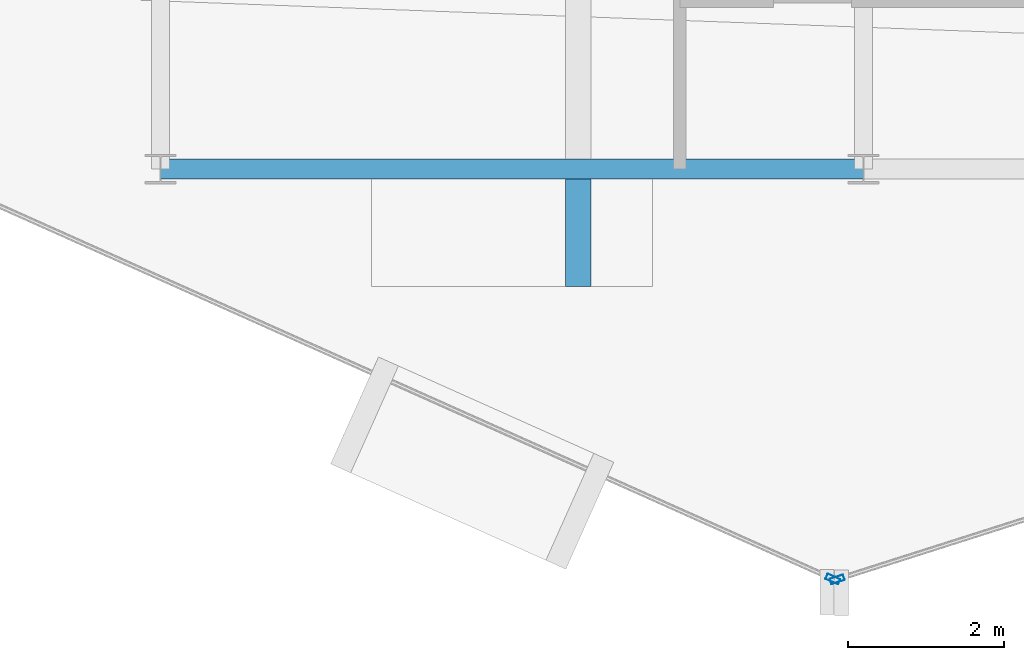
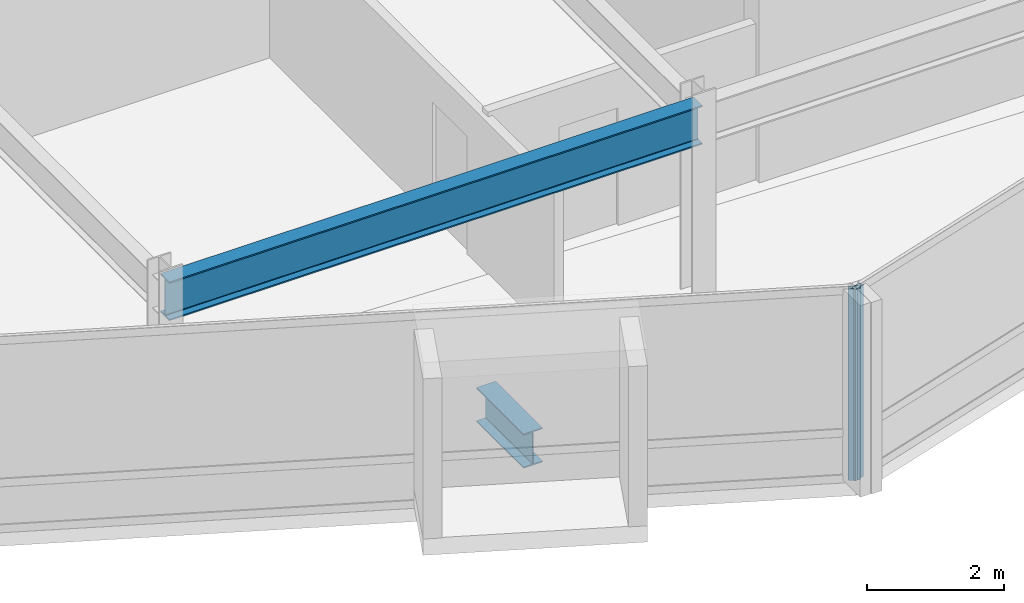
# One storey, part 4 of 19: 2 beams, 2 members, 2 elements without a shape of their own.
"""IFC4 building model written with IfcOpenShell, lengths in metres."""

from ifc_helpers import new_model, si_unit, direction, frame, origin, origin_2d, place, context, subcontext, project, spatial, hollow_rectangle, i_section, extrude, material, layer, layer_set, material_profile, profile_set, type_object, element, aggregate, save


model = new_model("IFC4")

# Units and contexts
model_context = context("Model", 3, precision=1e-05, world=origin(), true_north=direction((0.0, 1.0)))
body_context = subcontext(model_context, "Body", "Model", "MODEL_VIEW")
ifc_project = project(units=[si_unit("LENGTHUNIT", "METRE"), si_unit("AREAUNIT", "SQUARE_METRE"), si_unit("VOLUMEUNIT", "CUBIC_METRE"), si_unit("PLANEANGLEUNIT", "RADIAN"), si_unit("MASSUNIT", "GRAM", prefix="KILO")], contexts=[model_context])

# Site, building, storey
site_placement = place(None, origin())
site = spatial("IfcSite", under=ifc_project, at=site_placement, CompositionType="ELEMENT")
building_placement = place(site_placement, origin())
building = spatial("IfcBuilding", under=site, at=building_placement, Name="Solvaryn Broadcast Tower", CompositionType="ELEMENT")
storey_placement = place(building_placement, frame((0.0, 0.0, 277.800048828125)))
storey = spatial("IfcBuildingStorey", under=building, at=storey_placement, Name="L70", CompositionType="ELEMENT", Elevation=277.800048828125)

# Beams
ifc_material_1 = material(Name="Steel ASTM A992 Grade 50", Category="steel")
ifc_material_profile_1 = material_profile(ifc_material_1, i_section(OverallWidth=0.323974609375, OverallDepth=0.611083984375, WebThickness=0.0126953125, FlangeThickness=0.01904296875, FilletRadius=0.014892578125, at=origin_2d()))
ifc_profile_set_1 = profile_set([ifc_material_profile_1], Name="Steel ASTM A992 Grade 50")
beam_type_1 = type_object("IfcBeamType", Name="BM-CANT-TER", PredefinedType="BEAM", material=ifc_profile_set_1)
beam_1_placement = place(storey_placement, frame((23.35009765625, 8.875, -0.58544921875), z_axis=(0.0, -1.0, 0.0), x_axis=(1.0, 0.0, 0.0)))
element("IfcBeam", 1, at=beam_1_placement, inside=storey, type_object=beam_type_1, Name="L70 Bay-Box Cantilever Bracket 1", PredefinedType="BEAM", context=body_context, shape_type="SweptSolid", body=[
    extrude(i_section(OverallWidth=0.323974609375, OverallDepth=0.611083984375, WebThickness=0.0126953125, FlangeThickness=0.01904296875, FilletRadius=0.014892578125, at=origin_2d()), origin(), (0.0, 0.0, 1.0), 1.375),
])
ifc_material_2 = material(Name="Steel ASTM A992 Grade 50", Category="steel")
ifc_material_profile_2 = material_profile(ifc_material_2, i_section(OverallWidth=0.256103515625, OverallDepth=0.693115234375, WebThickness=0.014404296875, FlangeThickness=0.023681640625, FilletRadius=0.01611328125, at=origin_2d()))
ifc_profile_set_2 = profile_set([ifc_material_profile_2], Name="Steel ASTM A992 Grade 50")
beam_type_2 = type_object("IfcBeamType", Name="BM-SP3-W27X114", PredefinedType="USERDEFINED", material=ifc_profile_set_2)
beam_2_placement = place(storey_placement, frame((18.0, 9.0, 3.073486328125), z_axis=(1.0, 0.0, 0.0), x_axis=(0.0, 1.0, 0.0)))
element("IfcBeam", 2, at=beam_2_placement, inside=storey, type_object=beam_type_2, Name="L70 Spandrel Beam X (18-27 @ Y=9)", ObjectType="SPANDREL", PredefinedType="USERDEFINED", context=body_context, shape_type="SweptSolid", body=[
    extrude(i_section(OverallWidth=0.256103515625, OverallDepth=0.693115234375, WebThickness=0.014404296875, FlangeThickness=0.023681640625, FilletRadius=0.01611328125, at=origin_2d()), origin(), (0.0, 0.0, 1.0), 9.0),
])

# Curtain wall, member
ifc_material_3 = material(Name="Aluminium and Terracotta Unitised Curtain Wall", Category="masonry")
ifc_layer = layer(ifc_material_3, 0.199951171875)
ifc_layer_set = layer_set([ifc_layer], Name="CW-SYS2-LOWMID")
curtain_wall_type = type_object("IfcCurtainWallType", Name="CW-SYS2-LOWMID", PredefinedType="NOTDEFINED", material=ifc_layer_set)
curtain_wall_1_placement = place(storey_placement, origin())
curtain_wall_1 = element("IfcCurtainWall", 3, at=curtain_wall_1_placement, inside=storey, type_object=curtain_wall_type, Name="L70 Curtain Wall DR3", PredefinedType="NOTDEFINED")
ifc_material_4 = material(Name="Anodised Aluminium 6063-T6", Category="aluminium")
ifc_material_profile_3 = material_profile(ifc_material_4, hollow_rectangle(XDim=0.074951171875, YDim=0.179931640625, WallThickness=0.00390625, InnerFilletRadius=0.00390625, OuterFilletRadius=0.008056640625, at=origin_2d()))
ifc_profile_set_3 = profile_set([ifc_material_profile_3], Name="Anodised Aluminium 6063-T6")
member_type = type_object("IfcMemberType", Name="CW-MUL-180", PredefinedType="MULLION", material=ifc_profile_set_3)
member_1_placement = place(storey_placement, frame((26.608642578125, 3.750244140625, 0.0), z_axis=(0.0, 0.0, 1.0), x_axis=(0.408466010682, 0.912773530574, 0.0)))
member_1 = element("IfcMember", 4, at=member_1_placement, type_object=member_type, Name="CWS2 mullion 2", PredefinedType="MULLION", context=body_context, shape_type="SweptSolid", body=[
    extrude(hollow_rectangle(XDim=0.074951171875, YDim=0.179931640625, WallThickness=0.00390625, InnerFilletRadius=0.00390625, OuterFilletRadius=0.008056640625, at=origin_2d()), origin(), (0.0, 0.0, 1.0), 3.419921875),
])
aggregate(curtain_wall_1, [member_1])

curtain_wall_2_placement = place(storey_placement, origin())
curtain_wall_2 = element("IfcCurtainWall", 5, at=curtain_wall_2_placement, inside=storey, type_object=curtain_wall_type, Name="L70 Curtain Wall DR4", PredefinedType="NOTDEFINED")
member_2_placement = place(storey_placement, frame((26.66455078125, 3.7470703125, 0.0), z_axis=(0.0, 0.0, 1.0), x_axis=(-0.30361564569, 0.952794594701, 0.0)))
member_2 = element("IfcMember", 6, at=member_2_placement, type_object=member_type, Name="CWS2 mullion 1", PredefinedType="MULLION", context=body_context, shape_type="SweptSolid", body=[
    extrude(hollow_rectangle(XDim=0.074951171875, YDim=0.179931640625, WallThickness=0.00390625, InnerFilletRadius=0.00390625, OuterFilletRadius=0.008056640625, at=origin_2d()), origin(), (0.0, 0.0, 1.0), 3.419921875),
])
aggregate(curtain_wall_2, [member_2])

save(model, "model.ifc")
